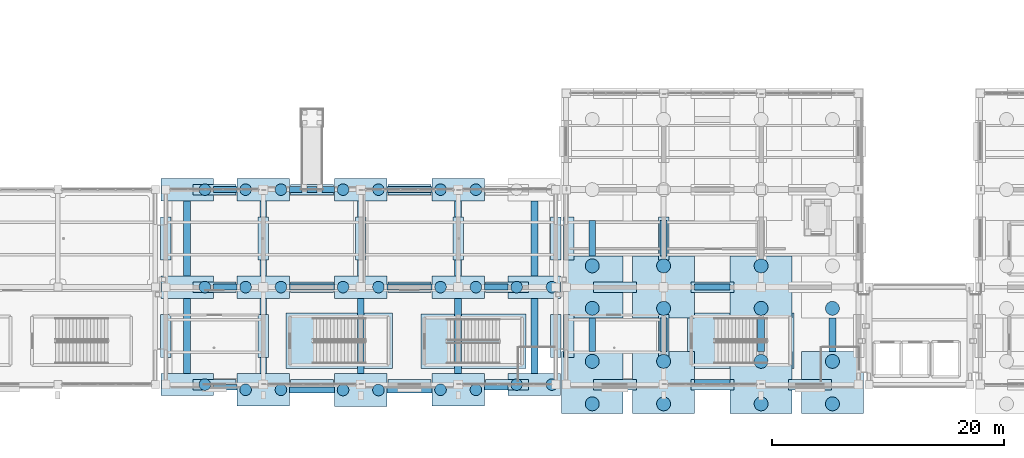
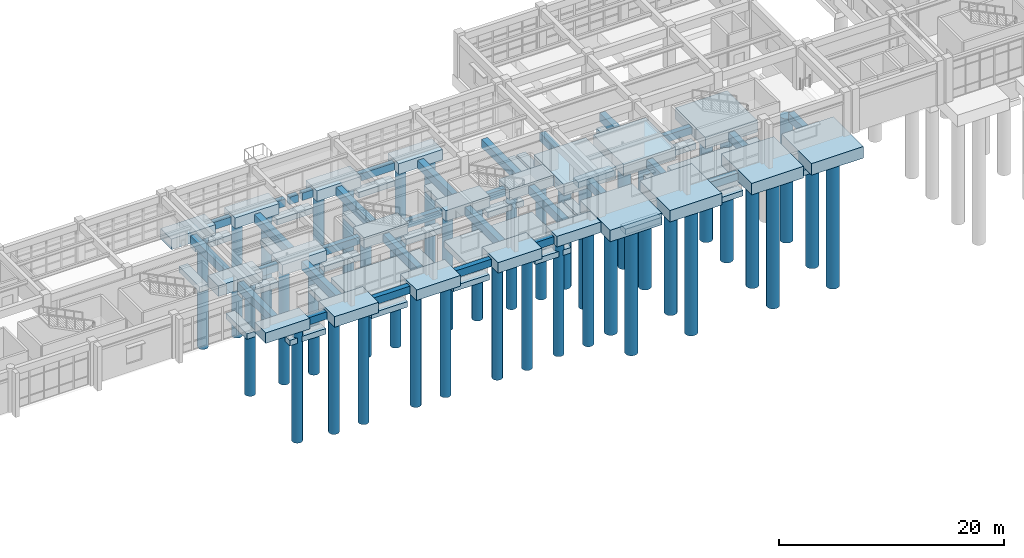
# One storey, part 1 of 111: 83 footings, 40 piles.
"""IFC4 building model written with IfcOpenShell, lengths in metres."""

from ifc_helpers import new_model, si_unit, direction, frame, origin, origin_2d, place, context, subcontext, project, spatial, rectangle, circle, extrude, material, material_profile, profile_set, type_object, element, save


model = new_model("IFC4")

# Units and contexts
model_context = context("Model", 3, precision=1e-05, world=origin(), true_north=direction((0.0, 1.0)))
body_context = subcontext(model_context, "Body", "Model", "MODEL_VIEW")
ifc_project = project(units=[si_unit("LENGTHUNIT", "METRE"), si_unit("AREAUNIT", "SQUARE_METRE"), si_unit("VOLUMEUNIT", "CUBIC_METRE"), si_unit("PLANEANGLEUNIT", "RADIAN"), si_unit("MASSUNIT", "GRAM", prefix="KILO")], contexts=[model_context])

# Site, building, storey
site_placement = place(None, origin())
site = spatial("IfcSite", under=ifc_project, at=site_placement, CompositionType="ELEMENT")
building_placement = place(site_placement, origin())
building = spatial("IfcBuilding", under=site, at=building_placement, Name="Canglan Escarpment Cableway Terminal", CompositionType="ELEMENT")
storey_placement = place(building_placement, frame((0.0, 0.0, 4.800048828125)))
storey = spatial("IfcBuildingStorey", under=building, at=storey_placement, Name="L01", CompositionType="ELEMENT", Elevation=4.800048828125)

# Footings
ifc_material = material(Name="Concrete C40", Category="concrete")
ifc_material_profile_1 = material_profile(ifc_material, rectangle(XDim=0.5, YDim=0.800048828125, at=origin_2d()), Name="FB 500x800")
ifc_profile_set_1 = profile_set([ifc_material_profile_1], Name="Concrete C40")
footing_type_1 = type_object("IfcFootingType", Name="FTG-BEAM-500x800", PredefinedType="FOOTING_BEAM", material=ifc_profile_set_1)
for number, where, z_axis, x_axis, name in (
    (1, (81.112060546875, 7.7763671875, -0.699951171875), (1.0, 0.0, 0.0), (0.0, 1.0, 0.0), "Reinforced concrete ground tie beam FB-01"),
    (2, (81.112060546875, 16.39990234375, -0.699951171875), (1.0, 0.0, 0.0), (0.0, 1.0, 0.0), "Reinforced concrete ground tie beam FB-01"),
    (3, (81.112060546875, 24.800048828125, -0.699951171875), (1.0, 0.0, 0.0), (0.0, 1.0, 0.0), "Reinforced concrete ground tie beam FB-01"),
):
    element("IfcFooting", number, at=place(storey_placement, frame(where, z_axis=z_axis, x_axis=x_axis)), inside=storey, type_object=footing_type_1, Name=name, PredefinedType="FOOTING_BEAM", context=body_context, shape_type="SweptSolid", body=[
        extrude(rectangle(XDim=0.5, YDim=0.800048828125, at=origin_2d()), origin(), (0.0, 0.0, 1.0), 2.02099609375),
    ])
for number, where, z_axis, x_axis, name in (
    (4, (87.6669921875, 7.5400390625, -0.699951171875), (1.0, 0.0, 0.0), (0.0, 1.0, 0.0), "Reinforced concrete ground tie beam FB-01"),
    (5, (87.6669921875, 16.39990234375, -0.699951171875), (1.0, 0.0, 0.0), (0.0, 1.0, 0.0), "Reinforced concrete ground tie beam FB-01"),
):
    element("IfcFooting", number, at=place(storey_placement, frame(where, z_axis=z_axis, x_axis=x_axis)), inside=storey, type_object=footing_type_1, Name=name, PredefinedType="FOOTING_BEAM", context=body_context, shape_type="SweptSolid", body=[
        extrude(rectangle(XDim=0.5, YDim=0.800048828125, at=origin_2d()), origin(), (0.0, 0.0, 1.0), 3.865966796875),
    ])
footing_1_placement = place(storey_placement, frame((87.6669921875, 24.800048828125, -0.699951171875), z_axis=(1.0, 0.0, 0.0), x_axis=(0.0, 1.0, 0.0)))
element("IfcFooting", 6, at=footing_1_placement, inside=storey, type_object=footing_type_1, Name="Reinforced concrete ground tie beam FB-01", PredefinedType="FOOTING_BEAM", context=body_context, shape_type="SweptSolid", body=[
    extrude(rectangle(XDim=0.5, YDim=0.800048828125, at=origin_2d()), origin(), (0.0, 0.0, 1.0), 1.071044921875),
])
footing_2_placement = place(storey_placement, frame((89.162109375, 24.800048828125, -0.699951171875), z_axis=(1.0, 0.0, 0.0), x_axis=(0.0, 1.0, 0.0)))
element("IfcFooting", 7, at=footing_2_placement, inside=storey, type_object=footing_type_1, Name="Reinforced concrete ground tie beam FB-01", PredefinedType="FOOTING_BEAM", context=body_context, shape_type="SweptSolid", body=[
    extrude(rectangle(XDim=0.5, YDim=0.800048828125, at=origin_2d()), origin(), (0.0, 0.0, 1.0), 0.8759765625),
])
footing_3_placement = place(storey_placement, frame((90.4619140625, 24.800048828125, -0.699951171875), z_axis=(1.0, 0.0, 0.0), x_axis=(0.0, 1.0, 0.0)))
element("IfcFooting", 8, at=footing_3_placement, inside=storey, type_object=footing_type_1, Name="Reinforced concrete ground tie beam FB-01", PredefinedType="FOOTING_BEAM", context=body_context, shape_type="SweptSolid", body=[
    extrude(rectangle(XDim=0.5, YDim=0.800048828125, at=origin_2d()), origin(), (0.0, 0.0, 1.0), 1.071044921875),
])
for number, where, z_axis, x_axis, name in (
    (9, (96.06689453125, 7.5400390625, -0.699951171875), (1.0, 0.0, 0.0), (0.0, 1.0, 0.0), "Reinforced concrete ground tie beam FB-01"),
    (10, (96.06689453125, 16.39990234375, -0.699951171875), (1.0, 0.0, 0.0), (0.0, 1.0, 0.0), "Reinforced concrete ground tie beam FB-01"),
    (11, (96.06689453125, 24.800048828125, -0.699951171875), (1.0, 0.0, 0.0), (0.0, 1.0, 0.0), "Reinforced concrete ground tie beam FB-01"),
):
    element("IfcFooting", number, at=place(storey_placement, frame(where, z_axis=z_axis, x_axis=x_axis)), inside=storey, type_object=footing_type_1, Name=name, PredefinedType="FOOTING_BEAM", context=body_context, shape_type="SweptSolid", body=[
        extrude(rectangle(XDim=0.5, YDim=0.800048828125, at=origin_2d()), origin(), (0.0, 0.0, 1.0), 3.8662109375),
    ])
for number, where, z_axis, x_axis, name in (
    (12, (104.467041015625, 7.7763671875, -0.699951171875), (1.0, 0.0, 0.0), (0.0, 1.0, 0.0), "Reinforced concrete ground tie beam FB-01"),
    (13, (104.467041015625, 16.39990234375, -0.699951171875), (1.0, 0.0, 0.0), (0.0, 1.0, 0.0), "Reinforced concrete ground tie beam FB-01"),
):
    element("IfcFooting", number, at=place(storey_placement, frame(where, z_axis=z_axis, x_axis=x_axis)), inside=storey, type_object=footing_type_1, Name=name, PredefinedType="FOOTING_BEAM", context=body_context, shape_type="SweptSolid", body=[
        extrude(rectangle(XDim=0.5, YDim=0.800048828125, at=origin_2d()), origin(), (0.0, 0.0, 1.0), 2.02099609375),
    ])
for number, where, z_axis, x_axis, name in (
    (14, (122.572021484375, 8.169921875, -0.699951171875), (1.0, 0.0, 0.0), (0.0, 1.0, 0.0), "Reinforced concrete ground tie beam FB-01"),
    (15, (122.572021484375, 16.39990234375, -0.699951171875), (1.0, 0.0, 0.0), (0.0, 1.0, 0.0), "Reinforced concrete ground tie beam FB-01"),
):
    element("IfcFooting", number, at=place(storey_placement, frame(where, z_axis=z_axis, x_axis=x_axis)), inside=storey, type_object=footing_type_1, Name=name, PredefinedType="FOOTING_BEAM", context=body_context, shape_type="SweptSolid", body=[
        extrude(rectangle(XDim=0.5, YDim=0.800048828125, at=origin_2d()), origin(), (0.0, 0.0, 1.0), 3.055908203125),
    ])
ifc_material_profile_2 = material_profile(ifc_material, rectangle(XDim=0.60009765625, YDim=0.89990234375, at=origin_2d()), Name="FB 600x900")
ifc_profile_set_2 = profile_set([ifc_material_profile_2], Name="Concrete C40")
footing_type_2 = type_object("IfcFootingType", Name="FTG-BEAM-600x900", PredefinedType="FOOTING_BEAM", material=ifc_profile_set_2)
footing_4_placement = place(storey_placement, frame((78.844970703125, 8.9619140625, -0.75), z_axis=(0.0, 1.0, 0.0), x_axis=(-1.0, 0.0, 0.0)))
element("IfcFooting", 16, at=footing_4_placement, inside=storey, type_object=footing_type_2, Name="Reinforced concrete ground tie beam FB-02", PredefinedType="FOOTING_BEAM", context=body_context, shape_type="SweptSolid", body=[
    extrude(rectangle(XDim=0.60009765625, YDim=0.89990234375, at=origin_2d()), origin(), (0.0, 0.0, 1.0), 6.47607421875),
])
footing_5_placement = place(storey_placement, frame((78.844970703125, 17.362060546875, -0.75), z_axis=(0.0, 1.0, 0.0), x_axis=(-1.0, 0.0, 0.0)))
element("IfcFooting", 17, at=footing_5_placement, inside=storey, type_object=footing_type_2, Name="Reinforced concrete ground tie beam FB-02", PredefinedType="FOOTING_BEAM", context=body_context, shape_type="SweptSolid", body=[
    extrude(rectangle(XDim=0.60009765625, YDim=0.89990234375, at=origin_2d()), origin(), (0.0, 0.0, 1.0), 6.475830078125),
])
footing_6_placement = place(storey_placement, frame((85.39990234375, 8.9619140625, -0.75), z_axis=(0.0, 1.0, 0.0), x_axis=(-1.0, 0.0, 0.0)))
element("IfcFooting", 18, at=footing_6_placement, inside=storey, type_object=footing_type_2, Name="Reinforced concrete ground tie beam FB-02", PredefinedType="FOOTING_BEAM", context=body_context, shape_type="SweptSolid", body=[
    extrude(rectangle(XDim=0.60009765625, YDim=0.89990234375, at=origin_2d()), origin(), (0.0, 0.0, 1.0), 6.47607421875),
])
footing_7_placement = place(storey_placement, frame((85.39990234375, 17.362060546875, -0.75), z_axis=(0.0, 1.0, 0.0), x_axis=(-1.0, 0.0, 0.0)))
element("IfcFooting", 19, at=footing_7_placement, inside=storey, type_object=footing_type_2, Name="Reinforced concrete ground tie beam FB-02", PredefinedType="FOOTING_BEAM", context=body_context, shape_type="SweptSolid", body=[
    extrude(rectangle(XDim=0.60009765625, YDim=0.89990234375, at=origin_2d()), origin(), (0.0, 0.0, 1.0), 6.475830078125),
])
footing_8_placement = place(storey_placement, frame((93.800048828125, 8.9619140625, -0.75), z_axis=(0.0, 1.0, 0.0), x_axis=(-1.0, 0.0, 0.0)))
element("IfcFooting", 20, at=footing_8_placement, inside=storey, type_object=footing_type_2, Name="Reinforced concrete ground tie beam FB-02", PredefinedType="FOOTING_BEAM", context=body_context, shape_type="SweptSolid", body=[
    extrude(rectangle(XDim=0.60009765625, YDim=0.89990234375, at=origin_2d()), origin(), (0.0, 0.0, 1.0), 6.47607421875),
])
footing_9_placement = place(storey_placement, frame((93.800048828125, 17.362060546875, -0.75), z_axis=(0.0, 1.0, 0.0), x_axis=(-1.0, 0.0, 0.0)))
element("IfcFooting", 21, at=footing_9_placement, inside=storey, type_object=footing_type_2, Name="Reinforced concrete ground tie beam FB-02", PredefinedType="FOOTING_BEAM", context=body_context, shape_type="SweptSolid", body=[
    extrude(rectangle(XDim=0.60009765625, YDim=0.89990234375, at=origin_2d()), origin(), (0.0, 0.0, 1.0), 6.475830078125),
])
footing_10_placement = place(storey_placement, frame((102.199951171875, 8.9619140625, -0.75), z_axis=(0.0, 1.0, 0.0), x_axis=(-1.0, 0.0, 0.0)))
element("IfcFooting", 22, at=footing_10_placement, inside=storey, type_object=footing_type_2, Name="Reinforced concrete ground tie beam FB-02", PredefinedType="FOOTING_BEAM", context=body_context, shape_type="SweptSolid", body=[
    extrude(rectangle(XDim=0.60009765625, YDim=0.89990234375, at=origin_2d()), origin(), (0.0, 0.0, 1.0), 6.47607421875),
])
footing_11_placement = place(storey_placement, frame((102.199951171875, 17.362060546875, -0.75), z_axis=(0.0, 1.0, 0.0), x_axis=(-1.0, 0.0, 0.0)))
element("IfcFooting", 23, at=footing_11_placement, inside=storey, type_object=footing_type_2, Name="Reinforced concrete ground tie beam FB-02", PredefinedType="FOOTING_BEAM", context=body_context, shape_type="SweptSolid", body=[
    extrude(rectangle(XDim=0.60009765625, YDim=0.89990234375, at=origin_2d()), origin(), (0.0, 0.0, 1.0), 6.475830078125),
])
footing_12_placement = place(storey_placement, frame((108.7548828125, 8.9619140625, -0.75), z_axis=(0.0, 1.0, 0.0), x_axis=(-1.0, 0.0, 0.0)))
element("IfcFooting", 24, at=footing_12_placement, inside=storey, type_object=footing_type_2, Name="Reinforced concrete ground tie beam FB-02", PredefinedType="FOOTING_BEAM", context=body_context, shape_type="SweptSolid", body=[
    extrude(rectangle(XDim=0.60009765625, YDim=0.89990234375, at=origin_2d()), origin(), (0.0, 0.0, 1.0), 6.47607421875),
])
footing_13_placement = place(storey_placement, frame((108.7548828125, 17.362060546875, -0.75), z_axis=(0.0, 1.0, 0.0), x_axis=(-1.0, 0.0, 0.0)))
element("IfcFooting", 25, at=footing_13_placement, inside=storey, type_object=footing_type_2, Name="Reinforced concrete ground tie beam FB-02", PredefinedType="FOOTING_BEAM", context=body_context, shape_type="SweptSolid", body=[
    extrude(rectangle(XDim=0.60009765625, YDim=0.89990234375, at=origin_2d()), origin(), (0.0, 0.0, 1.0), 6.475830078125),
])
footing_14_placement = place(storey_placement, frame((113.75, 10.842041015625, -0.75), z_axis=(0.0, 1.0, 0.0), x_axis=(-1.0, 0.0, 0.0)))
element("IfcFooting", 26, at=footing_14_placement, inside=storey, type_object=footing_type_2, Name="Reinforced concrete ground tie beam FB-02", PredefinedType="FOOTING_BEAM", context=body_context, shape_type="SweptSolid", body=[
    extrude(rectangle(XDim=0.60009765625, YDim=0.89990234375, at=origin_2d()), origin(), (0.0, 0.0, 1.0), 2.885986328125),
])
footing_15_placement = place(storey_placement, frame((113.75, 19.072021484375, -0.75), z_axis=(0.0, 1.0, 0.0), x_axis=(-1.0, 0.0, 0.0)))
element("IfcFooting", 27, at=footing_15_placement, inside=storey, type_object=footing_type_2, Name="Reinforced concrete ground tie beam FB-02", PredefinedType="FOOTING_BEAM", context=body_context, shape_type="SweptSolid", body=[
    extrude(rectangle(XDim=0.60009765625, YDim=0.89990234375, at=origin_2d()), origin(), (0.0, 0.0, 1.0), 3.055908203125),
])
footing_16_placement = place(storey_placement, frame((119.89990234375, 10.842041015625, -0.75), z_axis=(0.0, 1.0, 0.0), x_axis=(-1.0, 0.0, 0.0)))
element("IfcFooting", 28, at=footing_16_placement, inside=storey, type_object=footing_type_2, Name="Reinforced concrete ground tie beam FB-02", PredefinedType="FOOTING_BEAM", context=body_context, shape_type="SweptSolid", body=[
    extrude(rectangle(XDim=0.60009765625, YDim=0.89990234375, at=origin_2d()), origin(), (0.0, 0.0, 1.0), 2.885986328125),
])
footing_17_placement = place(storey_placement, frame((119.89990234375, 19.072021484375, -0.75), z_axis=(0.0, 1.0, 0.0), x_axis=(-1.0, 0.0, 0.0)))
element("IfcFooting", 29, at=footing_17_placement, inside=storey, type_object=footing_type_2, Name="Reinforced concrete ground tie beam FB-02", PredefinedType="FOOTING_BEAM", context=body_context, shape_type="SweptSolid", body=[
    extrude(rectangle(XDim=0.60009765625, YDim=0.89990234375, at=origin_2d()), origin(), (0.0, 0.0, 1.0), 3.055908203125),
])
for number, where, z_axis, x_axis, name in (
    (30, (128.300048828125, 10.842041015625, -0.75), (0.0, 1.0, 0.0), (-1.0, 0.0, 0.0), "Reinforced concrete ground tie beam FB-02"),
    (31, (134.449951171875, 10.842041015625, -0.75), (0.0, 1.0, 0.0), (-1.0, 0.0, 0.0), "Reinforced concrete ground tie beam FB-02"),
):
    element("IfcFooting", number, at=place(storey_placement, frame(where, z_axis=z_axis, x_axis=x_axis)), inside=storey, type_object=footing_type_2, Name=name, PredefinedType="FOOTING_BEAM", context=body_context, shape_type="SweptSolid", body=[
        extrude(rectangle(XDim=0.60009765625, YDim=0.89990234375, at=origin_2d()), origin(), (0.0, 0.0, 1.0), 2.885986328125),
    ])
footing_type_3 = type_object("IfcFootingType", Name="FTG-CAP-4530x1920x1150", PredefinedType="PILE_CAP", material=ifc_material)
for number, where, z_axis, x_axis, name in (
    (32, (78.844970703125, 8.0, -1.14990234375), (0.0, 0.0, 1.0), (1.0, 0.0, 0.0), "Reinforced concrete pile cap PC-04"),
    (33, (78.844970703125, 16.39990234375, -1.14990234375), (0.0, 0.0, 1.0), (1.0, 0.0, 0.0), "Reinforced concrete pile cap PC-04"),
    (34, (78.844970703125, 24.800048828125, -1.14990234375), (0.0, 0.0, 1.0), (1.0, 0.0, 0.0), "Reinforced concrete pile cap PC-04"),
    (35, (85.39990234375, 16.39990234375, -1.14990234375), (0.0, 0.0, 1.0), (1.0, 0.0, 0.0), "Reinforced concrete pile cap PC-04"),
    (36, (85.39990234375, 24.800048828125, -1.14990234375), (0.0, 0.0, 1.0), (1.0, 0.0, 0.0), "Reinforced concrete pile cap PC-04"),
    (37, (93.800048828125, 16.39990234375, -1.14990234375), (0.0, 0.0, 1.0), (1.0, 0.0, 0.0), "Reinforced concrete pile cap PC-04"),
    (38, (93.800048828125, 24.800048828125, -1.14990234375), (0.0, 0.0, 1.0), (1.0, 0.0, 0.0), "Reinforced concrete pile cap PC-04"),
    (39, (102.199951171875, 16.39990234375, -1.14990234375), (0.0, 0.0, 1.0), (1.0, 0.0, 0.0), "Reinforced concrete pile cap PC-04"),
    (40, (102.199951171875, 24.800048828125, -1.14990234375), (0.0, 0.0, 1.0), (1.0, 0.0, 0.0), "Reinforced concrete pile cap PC-04"),
    (41, (108.7548828125, 8.0, -1.14990234375), (0.0, 0.0, 1.0), (1.0, 0.0, 0.0), "Reinforced concrete pile cap PC-04"),
    (42, (108.7548828125, 16.39990234375, -1.14990234375), (0.0, 0.0, 1.0), (1.0, 0.0, 0.0), "Reinforced concrete pile cap PC-04"),
):
    element("IfcFooting", number, at=place(storey_placement, frame(where, z_axis=z_axis, x_axis=x_axis)), inside=storey, type_object=footing_type_3, Name=name, PredefinedType="PILE_CAP", context=body_context, shape_type="SweptSolid", body=[
        extrude(rectangle(XDim=4.530029296875, YDim=1.919921875, at=origin_2d()), origin(), (0.0, 0.0, 1.0), 1.14990234375),
    ])
footing_type_4 = type_object("IfcFootingType", Name="FTG-CAP-4530x2815x1150", PredefinedType="PILE_CAP", material=ifc_material)
for number, where, z_axis, x_axis, name in (
    (43, (85.39990234375, 7.552490234375, -1.14990234375), (0.0, 0.0, 1.0), (1.0, 0.0, 0.0), "Reinforced concrete pile cap PC-05"),
    (44, (102.199951171875, 7.552490234375, -1.14990234375), (0.0, 0.0, 1.0), (1.0, 0.0, 0.0), "Reinforced concrete pile cap PC-05"),
):
    element("IfcFooting", number, at=place(storey_placement, frame(where, z_axis=z_axis, x_axis=x_axis)), inside=storey, type_object=footing_type_4, Name=name, PredefinedType="PILE_CAP", context=body_context, shape_type="SweptSolid", body=[
        extrude(rectangle(XDim=4.530029296875, YDim=2.81494140625, at=origin_2d()), origin(), (0.0, 0.0, 1.0), 1.14990234375),
    ])
footing_type_5 = type_object("IfcFootingType", Name="FTG-CAP-4530x2865x1150", PredefinedType="PILE_CAP", material=ifc_material)
footing_18_placement = place(storey_placement, frame((93.800048828125, 7.527587890625, -1.14990234375), z_axis=(0.0, 0.0, 1.0), x_axis=(1.0, 0.0, 0.0)))
element("IfcFooting", 45, at=footing_18_placement, inside=storey, type_object=footing_type_5, Name="Reinforced concrete pile cap PC-06", PredefinedType="PILE_CAP", context=body_context, shape_type="SweptSolid", body=[
    extrude(rectangle(XDim=4.530029296875, YDim=2.864990234375, at=origin_2d()), origin(), (0.0, 0.0, 1.0), 1.14990234375),
])
footing_type_6 = type_object("IfcFootingType", Name="FTG-CAP-5340x5340x1260", PredefinedType="PILE_CAP", material=ifc_material)
for number, where, z_axis, x_axis, name in (
    (46, (113.75, 8.169921875, -1.26025390625), (0.0, 0.0, 1.0), (1.0, 0.0, 0.0), "Reinforced concrete pile cap PC-07"),
    (47, (113.75, 16.39990234375, -1.26025390625), (0.0, 0.0, 1.0), (1.0, 0.0, 0.0), "Reinforced concrete pile cap PC-07"),
    (48, (119.89990234375, 8.169921875, -1.26025390625), (0.0, 0.0, 1.0), (1.0, 0.0, 0.0), "Reinforced concrete pile cap PC-07"),
    (49, (119.89990234375, 16.39990234375, -1.26025390625), (0.0, 0.0, 1.0), (1.0, 0.0, 0.0), "Reinforced concrete pile cap PC-07"),
    (50, (128.300048828125, 8.169921875, -1.26025390625), (0.0, 0.0, 1.0), (1.0, 0.0, 0.0), "Reinforced concrete pile cap PC-07"),
    (51, (128.300048828125, 16.39990234375, -1.26025390625), (0.0, 0.0, 1.0), (1.0, 0.0, 0.0), "Reinforced concrete pile cap PC-07"),
    (52, (134.449951171875, 8.169921875, -1.26025390625), (0.0, 0.0, 1.0), (1.0, 0.0, 0.0), "Reinforced concrete pile cap PC-07"),
):
    element("IfcFooting", number, at=place(storey_placement, frame(where, z_axis=z_axis, x_axis=x_axis)), inside=storey, type_object=footing_type_6, Name=name, PredefinedType="PILE_CAP", context=body_context, shape_type="SweptSolid", body=[
        extrude(rectangle(XDim=5.340087890625, YDim=5.340087890625, at=origin_2d()), origin(), (0.0, 0.0, 1.0), 1.260009765625),
    ])
footing_type_7 = type_object("IfcFootingType", Name="FTG-PAD-9040x4690x700", PredefinedType="PAD_FOOTING", material=ifc_material)
footing_19_placement = place(storey_placement, frame((103.5, 11.72509765625, -2.7998046875), z_axis=(0.0, 0.0, 1.0), x_axis=(1.0, 0.0, 0.0)))
element("IfcFooting", 53, at=footing_19_placement, inside=storey, type_object=footing_type_7, Name="Reinforced concrete auxiliary pad footing PF-05", PredefinedType="PAD_FOOTING", context=body_context, shape_type="SweptSolid", body=[
    extrude(rectangle(XDim=9.0400390625, YDim=4.68994140625, at=origin_2d()), origin(), (0.0, 0.0, 1.0), 0.699951171875),
])
footing_type_8 = type_object("IfcFootingType", Name="FTG-PAD-9140x4790x700", PredefinedType="PAD_FOOTING", material=ifc_material)
for number, where, z_axis, x_axis, name in (
    (54, (91.949951171875, 11.77490234375, -2.7998046875), (0.0, 0.0, 1.0), (1.0, 0.0, 0.0), "Reinforced concrete auxiliary pad footing PF-04"),
    (55, (126.550048828125, 11.77490234375, -2.7998046875), (0.0, 0.0, 1.0), (1.0, 0.0, 0.0), "Reinforced concrete auxiliary pad footing PF-04"),
):
    element("IfcFooting", number, at=place(storey_placement, frame(where, z_axis=z_axis, x_axis=x_axis)), inside=storey, type_object=footing_type_8, Name=name, PredefinedType="PAD_FOOTING", context=body_context, shape_type="SweptSolid", body=[
        extrude(rectangle(XDim=9.139892578125, YDim=4.7900390625, at=origin_2d()), origin(), (0.0, 0.0, 1.0), 0.699951171875),
    ])
ifc_material_profile_3 = material_profile(ifc_material, rectangle(XDim=0.89990234375, YDim=0.60009765625, at=origin_2d()), Name="SF 900x600")
ifc_profile_set_3 = profile_set([ifc_material_profile_3], Name="Concrete C40")
footing_type_9 = type_object("IfcFootingType", Name="FTG-STRIP-900x600", PredefinedType="STRIP_FOOTING", material=ifc_profile_set_3)
for number, where, z_axis, x_axis, name in (
    (56, (79.35009765625, 8.0, -2.400146484375), (1.0, 0.0, 0.0), (0.0, 1.0, 0.0), "Bench foundation strip footing SF-F1"),
    (57, (87.75, 8.0, -2.400146484375), (1.0, 0.0, 0.0), (0.0, 1.0, 0.0), "Bench foundation strip footing SF-F1"),
):
    element("IfcFooting", number, at=place(storey_placement, frame(where, z_axis=z_axis, x_axis=x_axis)), inside=storey, type_object=footing_type_9, Name=name, PredefinedType="STRIP_FOOTING", context=body_context, shape_type="SweptSolid", body=[
        extrude(rectangle(XDim=0.89990234375, YDim=0.60009765625, at=origin_2d()), origin(), (0.0, 0.0, 1.0), 3.699951171875),
    ])
footing_20_placement = place(storey_placement, frame((96.14990234375, 8.0, -2.400146484375), z_axis=(1.0, 0.0, 0.0), x_axis=(0.0, 1.0, 0.0)))
element("IfcFooting", 58, at=footing_20_placement, inside=storey, type_object=footing_type_9, Name="Bench foundation strip footing SF-F1", PredefinedType="STRIP_FOOTING", context=body_context, shape_type="SweptSolid", body=[
    extrude(rectangle(XDim=0.89990234375, YDim=0.60009765625, at=origin_2d()), origin(), (0.0, 0.0, 1.0), 3.7001953125),
])
for number, where, z_axis, x_axis, name in (
    (59, (104.550048828125, 8.0, -2.400146484375), (1.0, 0.0, 0.0), (0.0, 1.0, 0.0), "Bench foundation strip footing SF-F1"),
    (60, (79.35009765625, 16.39990234375, -2.400146484375), (1.0, 0.0, 0.0), (0.0, 1.0, 0.0), "Bench foundation strip footing SF-F1"),
    (61, (87.75, 16.39990234375, -2.400146484375), (1.0, 0.0, 0.0), (0.0, 1.0, 0.0), "Bench foundation strip footing SF-F1"),
):
    element("IfcFooting", number, at=place(storey_placement, frame(where, z_axis=z_axis, x_axis=x_axis)), inside=storey, type_object=footing_type_9, Name=name, PredefinedType="STRIP_FOOTING", context=body_context, shape_type="SweptSolid", body=[
        extrude(rectangle(XDim=0.89990234375, YDim=0.60009765625, at=origin_2d()), origin(), (0.0, 0.0, 1.0), 3.699951171875),
    ])
footing_21_placement = place(storey_placement, frame((96.14990234375, 16.39990234375, -2.400146484375), z_axis=(1.0, 0.0, 0.0), x_axis=(0.0, 1.0, 0.0)))
element("IfcFooting", 62, at=footing_21_placement, inside=storey, type_object=footing_type_9, Name="Bench foundation strip footing SF-F1", PredefinedType="STRIP_FOOTING", context=body_context, shape_type="SweptSolid", body=[
    extrude(rectangle(XDim=0.89990234375, YDim=0.60009765625, at=origin_2d()), origin(), (0.0, 0.0, 1.0), 3.7001953125),
])
for number, where, z_axis, x_axis, name in (
    (63, (104.550048828125, 16.39990234375, -2.400146484375), (1.0, 0.0, 0.0), (0.0, 1.0, 0.0), "Bench foundation strip footing SF-F1"),
    (64, (79.35009765625, 24.800048828125, -2.400146484375), (1.0, 0.0, 0.0), (0.0, 1.0, 0.0), "Bench foundation strip footing SF-F1"),
    (65, (87.75, 24.800048828125, -2.400146484375), (1.0, 0.0, 0.0), (0.0, 1.0, 0.0), "Bench foundation strip footing SF-F1"),
):
    element("IfcFooting", number, at=place(storey_placement, frame(where, z_axis=z_axis, x_axis=x_axis)), inside=storey, type_object=footing_type_9, Name=name, PredefinedType="STRIP_FOOTING", context=body_context, shape_type="SweptSolid", body=[
        extrude(rectangle(XDim=0.89990234375, YDim=0.60009765625, at=origin_2d()), origin(), (0.0, 0.0, 1.0), 3.699951171875),
    ])
footing_22_placement = place(storey_placement, frame((96.14990234375, 24.800048828125, -2.400146484375), z_axis=(1.0, 0.0, 0.0), x_axis=(0.0, 1.0, 0.0)))
element("IfcFooting", 66, at=footing_22_placement, inside=storey, type_object=footing_type_9, Name="Bench foundation strip footing SF-F1", PredefinedType="STRIP_FOOTING", context=body_context, shape_type="SweptSolid", body=[
    extrude(rectangle(XDim=0.89990234375, YDim=0.60009765625, at=origin_2d()), origin(), (0.0, 0.0, 1.0), 3.7001953125),
])
for number, where, z_axis, x_axis, name in (
    (67, (77.0, 10.35009765625, -2.400146484375), (0.0, 1.0, 0.0), (-1.0, 0.0, 0.0), "Bench foundation strip footing SF-F1"),
    (68, (77.0, 18.75, -2.400146484375), (0.0, 1.0, 0.0), (-1.0, 0.0, 0.0), "Bench foundation strip footing SF-F1"),
    (69, (85.39990234375, 10.35009765625, -2.400146484375), (0.0, 1.0, 0.0), (-1.0, 0.0, 0.0), "Bench foundation strip footing SF-F1"),
    (70, (85.39990234375, 18.75, -2.400146484375), (0.0, 1.0, 0.0), (-1.0, 0.0, 0.0), "Bench foundation strip footing SF-F1"),
    (71, (93.800048828125, 18.75, -2.400146484375), (0.0, 1.0, 0.0), (-1.0, 0.0, 0.0), "Bench foundation strip footing SF-F1"),
    (72, (102.199951171875, 18.75, -2.400146484375), (0.0, 1.0, 0.0), (-1.0, 0.0, 0.0), "Bench foundation strip footing SF-F1"),
    (73, (110.60009765625, 10.35009765625, -2.400146484375), (0.0, 1.0, 0.0), (-1.0, 0.0, 0.0), "Bench foundation strip footing SF-F1"),
    (74, (110.60009765625, 18.75, -2.400146484375), (0.0, 1.0, 0.0), (-1.0, 0.0, 0.0), "Bench foundation strip footing SF-F1"),
    (75, (113.85009765625, 8.0, -2.400146484375), (1.0, 0.0, 0.0), (0.0, 1.0, 0.0), "Bench foundation strip footing SF-F1"),
    (76, (122.25, 8.0, -2.400146484375), (1.0, 0.0, 0.0), (0.0, 1.0, 0.0), "Bench foundation strip footing SF-F1"),
):
    element("IfcFooting", number, at=place(storey_placement, frame(where, z_axis=z_axis, x_axis=x_axis)), inside=storey, type_object=footing_type_9, Name=name, PredefinedType="STRIP_FOOTING", context=body_context, shape_type="SweptSolid", body=[
        extrude(rectangle(XDim=0.89990234375, YDim=0.60009765625, at=origin_2d()), origin(), (0.0, 0.0, 1.0), 3.699951171875),
    ])
footing_23_placement = place(storey_placement, frame((130.64990234375, 8.0, -2.400146484375), z_axis=(1.0, 0.0, 0.0), x_axis=(0.0, 1.0, 0.0)))
element("IfcFooting", 77, at=footing_23_placement, inside=storey, type_object=footing_type_9, Name="Bench foundation strip footing SF-F1", PredefinedType="STRIP_FOOTING", context=body_context, shape_type="SweptSolid", body=[
    extrude(rectangle(XDim=0.89990234375, YDim=0.60009765625, at=origin_2d()), origin(), (0.0, 0.0, 1.0), 3.7001953125),
])
for number, where, z_axis, x_axis, name in (
    (78, (113.85009765625, 16.39990234375, -2.400146484375), (1.0, 0.0, 0.0), (0.0, 1.0, 0.0), "Bench foundation strip footing SF-F1"),
    (79, (122.25, 16.39990234375, -2.400146484375), (1.0, 0.0, 0.0), (0.0, 1.0, 0.0), "Bench foundation strip footing SF-F1"),
    (80, (111.719970703125, 10.35009765625, -2.400146484375), (0.0, 1.0, 0.0), (-1.0, 0.0, 0.0), "Bench foundation strip footing SF-F1"),
    (81, (111.719970703125, 18.75, -2.400146484375), (0.0, 1.0, 0.0), (-1.0, 0.0, 0.0), "Bench foundation strip footing SF-F1"),
    (82, (119.89990234375, 10.35009765625, -2.400146484375), (0.0, 1.0, 0.0), (-1.0, 0.0, 0.0), "Bench foundation strip footing SF-F1"),
    (83, (119.89990234375, 18.75, -2.400146484375), (0.0, 1.0, 0.0), (-1.0, 0.0, 0.0), "Bench foundation strip footing SF-F1"),
):
    element("IfcFooting", number, at=place(storey_placement, frame(where, z_axis=z_axis, x_axis=x_axis)), inside=storey, type_object=footing_type_9, Name=name, PredefinedType="STRIP_FOOTING", context=body_context, shape_type="SweptSolid", body=[
        extrude(rectangle(XDim=0.89990234375, YDim=0.60009765625, at=origin_2d()), origin(), (0.0, 0.0, 1.0), 3.699951171875),
    ])

# Piles
ifc_material_profile_4 = material_profile(ifc_material, circle(Radius=0.5, at=origin_2d()), Name="BORED PILE D1000")
ifc_profile_set_4 = profile_set([ifc_material_profile_4], Name="Concrete C40")
pile_type_1 = type_object("IfcPileType", Name="PILE-D1000", PredefinedType="BORED", material=ifc_profile_set_4)
for number, where, z_axis, x_axis, name in (
    (84, (80.3701171875, 8.0, -1.050048828125), (0.0, 0.0, -1.0), (1.0, 0.0, 0.0), "Rock-socketed bored pile P-03"),
    (85, (80.3701171875, 16.39990234375, -1.050048828125), (0.0, 0.0, -1.0), (1.0, 0.0, 0.0), "Rock-socketed bored pile P-03"),
    (86, (80.3701171875, 24.800048828125, -1.050048828125), (0.0, 0.0, -1.0), (1.0, 0.0, 0.0), "Rock-socketed bored pile P-03"),
    (87, (83.875, 7.552490234375, -1.050048828125), (0.0, 0.0, -1.0), (1.0, 0.0, 0.0), "Rock-socketed bored pile P-03"),
    (88, (86.925048828125, 7.552490234375, -1.050048828125), (0.0, 0.0, -1.0), (1.0, 0.0, 0.0), "Rock-socketed bored pile P-03"),
    (89, (83.875, 16.39990234375, -1.050048828125), (0.0, 0.0, -1.0), (1.0, 0.0, 0.0), "Rock-socketed bored pile P-03"),
    (90, (86.925048828125, 16.39990234375, -1.050048828125), (0.0, 0.0, -1.0), (1.0, 0.0, 0.0), "Rock-socketed bored pile P-03"),
    (91, (83.875, 24.800048828125, -1.050048828125), (0.0, 0.0, -1.0), (1.0, 0.0, 0.0), "Rock-socketed bored pile P-03"),
    (92, (86.925048828125, 24.800048828125, -1.050048828125), (0.0, 0.0, -1.0), (1.0, 0.0, 0.0), "Rock-socketed bored pile P-03"),
    (93, (92.27490234375, 7.527587890625, -1.050048828125), (0.0, 0.0, -1.0), (1.0, 0.0, 0.0), "Rock-socketed bored pile P-03"),
    (94, (95.324951171875, 7.527587890625, -1.050048828125), (0.0, 0.0, -1.0), (1.0, 0.0, 0.0), "Rock-socketed bored pile P-03"),
    (95, (92.27490234375, 16.39990234375, -1.050048828125), (0.0, 0.0, -1.0), (1.0, 0.0, 0.0), "Rock-socketed bored pile P-03"),
    (96, (95.324951171875, 16.39990234375, -1.050048828125), (0.0, 0.0, -1.0), (1.0, 0.0, 0.0), "Rock-socketed bored pile P-03"),
    (97, (92.27490234375, 24.800048828125, -1.050048828125), (0.0, 0.0, -1.0), (1.0, 0.0, 0.0), "Rock-socketed bored pile P-03"),
    (98, (95.324951171875, 24.800048828125, -1.050048828125), (0.0, 0.0, -1.0), (1.0, 0.0, 0.0), "Rock-socketed bored pile P-03"),
    (99, (100.675048828125, 7.552490234375, -1.050048828125), (0.0, 0.0, -1.0), (1.0, 0.0, 0.0), "Rock-socketed bored pile P-03"),
    (100, (103.72509765625, 7.552490234375, -1.050048828125), (0.0, 0.0, -1.0), (1.0, 0.0, 0.0), "Rock-socketed bored pile P-03"),
    (101, (100.675048828125, 16.39990234375, -1.050048828125), (0.0, 0.0, -1.0), (1.0, 0.0, 0.0), "Rock-socketed bored pile P-03"),
    (102, (103.72509765625, 16.39990234375, -1.050048828125), (0.0, 0.0, -1.0), (1.0, 0.0, 0.0), "Rock-socketed bored pile P-03"),
    (103, (100.675048828125, 24.800048828125, -1.050048828125), (0.0, 0.0, -1.0), (1.0, 0.0, 0.0), "Rock-socketed bored pile P-03"),
    (104, (103.72509765625, 24.800048828125, -1.050048828125), (0.0, 0.0, -1.0), (1.0, 0.0, 0.0), "Rock-socketed bored pile P-03"),
    (105, (107.22998046875, 8.0, -1.050048828125), (0.0, 0.0, -1.0), (1.0, 0.0, 0.0), "Rock-socketed bored pile P-03"),
    (106, (110.280029296875, 8.0, -1.050048828125), (0.0, 0.0, -1.0), (1.0, 0.0, 0.0), "Rock-socketed bored pile P-03"),
    (107, (107.22998046875, 16.39990234375, -1.050048828125), (0.0, 0.0, -1.0), (1.0, 0.0, 0.0), "Rock-socketed bored pile P-03"),
    (108, (110.280029296875, 16.39990234375, -1.050048828125), (0.0, 0.0, -1.0), (1.0, 0.0, 0.0), "Rock-socketed bored pile P-03"),
):
    element("IfcPile", number, at=place(storey_placement, frame(where, z_axis=z_axis, x_axis=x_axis)), inside=storey, type_object=pile_type_1, Name=name, PredefinedType="BORED", context=body_context, shape_type="SweptSolid", body=[
        extrude(circle(Radius=0.5, at=origin_2d()), origin(), (0.0, 0.0, 1.0), 12.5),
    ])
ifc_material_profile_5 = material_profile(ifc_material, circle(Radius=0.60009765625, at=origin_2d()), Name="BORED PILE D1200")
ifc_profile_set_5 = profile_set([ifc_material_profile_5], Name="Concrete C40")
pile_type_2 = type_object("IfcPileType", Name="PILE-D1200", PredefinedType="BORED", material=ifc_profile_set_5)
for number, where, z_axis, x_axis, name in (
    (109, (113.75, 6.340087890625, -1.16015625), (0.0, 0.0, -1.0), (1.0, 0.0, 0.0), "Rock-socketed bored pile P-04"),
    (110, (113.75, 10.0, -1.16015625), (0.0, 0.0, -1.0), (1.0, 0.0, 0.0), "Rock-socketed bored pile P-04"),
    (111, (113.75, 14.570068359375, -1.16015625), (0.0, 0.0, -1.0), (1.0, 0.0, 0.0), "Rock-socketed bored pile P-04"),
    (112, (113.75, 18.22998046875, -1.16015625), (0.0, 0.0, -1.0), (1.0, 0.0, 0.0), "Rock-socketed bored pile P-04"),
    (113, (119.89990234375, 6.340087890625, -1.16015625), (0.0, 0.0, -1.0), (1.0, 0.0, 0.0), "Rock-socketed bored pile P-04"),
    (114, (119.89990234375, 10.0, -1.16015625), (0.0, 0.0, -1.0), (1.0, 0.0, 0.0), "Rock-socketed bored pile P-04"),
    (115, (119.89990234375, 14.570068359375, -1.16015625), (0.0, 0.0, -1.0), (1.0, 0.0, 0.0), "Rock-socketed bored pile P-04"),
    (116, (119.89990234375, 18.22998046875, -1.16015625), (0.0, 0.0, -1.0), (1.0, 0.0, 0.0), "Rock-socketed bored pile P-04"),
    (117, (128.300048828125, 6.340087890625, -1.16015625), (0.0, 0.0, -1.0), (1.0, 0.0, 0.0), "Rock-socketed bored pile P-04"),
    (118, (128.300048828125, 10.0, -1.16015625), (0.0, 0.0, -1.0), (1.0, 0.0, 0.0), "Rock-socketed bored pile P-04"),
    (119, (128.300048828125, 14.570068359375, -1.16015625), (0.0, 0.0, -1.0), (1.0, 0.0, 0.0), "Rock-socketed bored pile P-04"),
    (120, (128.300048828125, 18.22998046875, -1.16015625), (0.0, 0.0, -1.0), (1.0, 0.0, 0.0), "Rock-socketed bored pile P-04"),
    (121, (134.449951171875, 6.340087890625, -1.16015625), (0.0, 0.0, -1.0), (1.0, 0.0, 0.0), "Rock-socketed bored pile P-04"),
    (122, (134.449951171875, 10.0, -1.16015625), (0.0, 0.0, -1.0), (1.0, 0.0, 0.0), "Rock-socketed bored pile P-04"),
    (123, (134.449951171875, 14.570068359375, -1.16015625), (0.0, 0.0, -1.0), (1.0, 0.0, 0.0), "Rock-socketed bored pile P-04"),
):
    element("IfcPile", number, at=place(storey_placement, frame(where, z_axis=z_axis, x_axis=x_axis)), inside=storey, type_object=pile_type_2, Name=name, PredefinedType="BORED", context=body_context, shape_type="SweptSolid", body=[
        extrude(circle(Radius=0.60009765625, at=origin_2d()), origin(), (0.0, 0.0, 1.0), 13.5),
    ])

save(model, "model.ifc")
